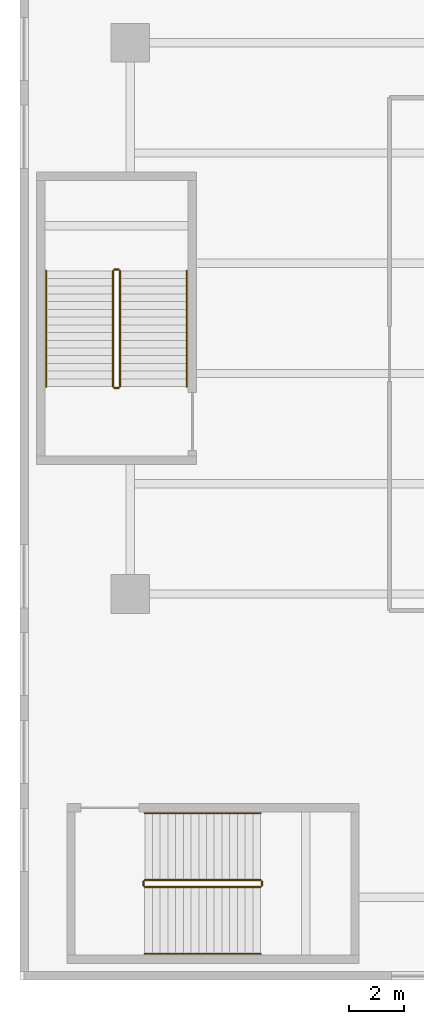
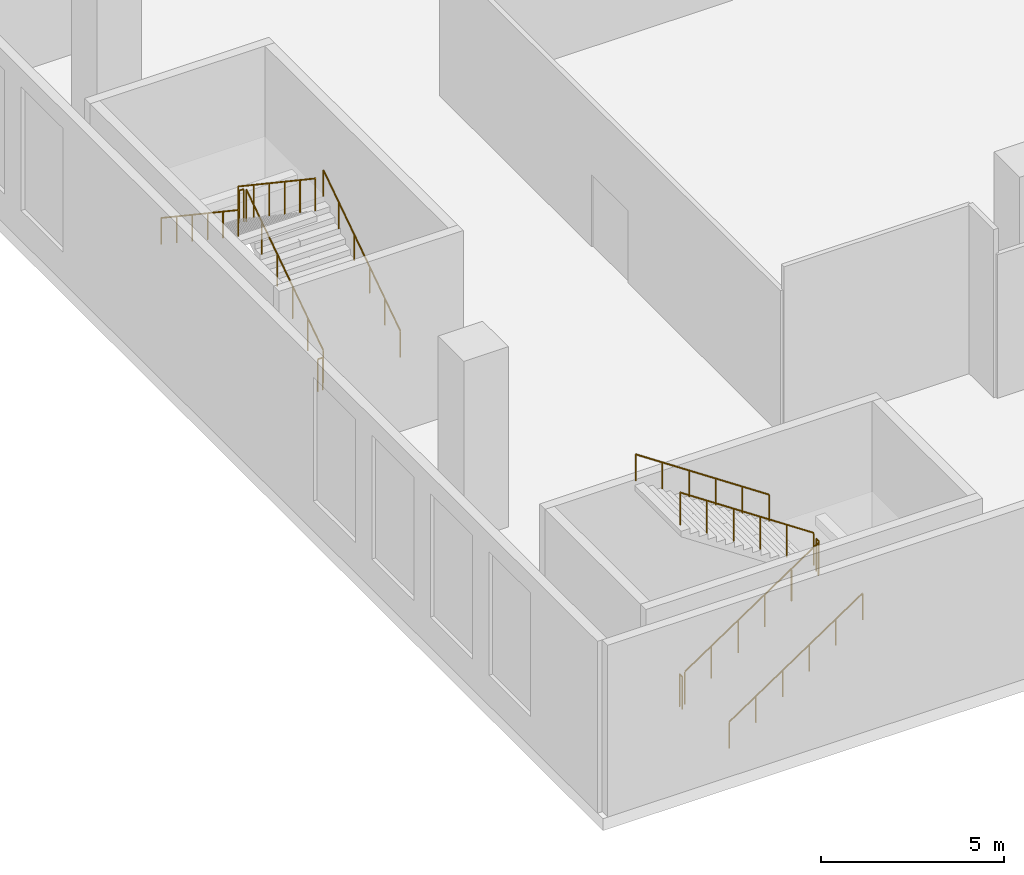
# One storey, part 17 of 25: 12 railings.
"""IFC4 building model written with IfcOpenShell, lengths in metres."""

from ifc_helpers import new_model, si_unit, direction, frame, origin, origin_2d, place, context, subcontext, project, spatial, circle, extrude, material, type_object, element, save


model = new_model("IFC4")

# Units and contexts
model_context = context("Model", 3, precision=1e-05, world=origin(), true_north=direction((0.0, 1.0)))
body_context = subcontext(model_context, "Body", "Model", "MODEL_VIEW")
ifc_project = project(units=[si_unit("LENGTHUNIT", "METRE"), si_unit("AREAUNIT", "SQUARE_METRE"), si_unit("VOLUMEUNIT", "CUBIC_METRE"), si_unit("PLANEANGLEUNIT", "RADIAN"), si_unit("MASSUNIT", "GRAM", prefix="KILO")], contexts=[model_context])

# Site, building, storey
site_placement = place(None, origin())
site = spatial("IfcSite", under=ifc_project, at=site_placement, CompositionType="ELEMENT")
building_placement = place(site_placement, origin())
building = spatial("IfcBuilding", under=site, at=building_placement, Name="Tel Ilan Convention Tower", CompositionType="ELEMENT")
storey_placement = place(building_placement, frame((0.0, 0.0, 26.0)))
storey = spatial("IfcBuildingStorey", under=building, at=storey_placement, Name="L03", CompositionType="ELEMENT", Elevation=26.0)

# Railings
ifc_material_1 = material(Name="Stainless Steel Grade 316", Category="steel")
railing_type_1 = type_object("IfcRailingType", Name="Stainless Steel Stair Guard 1100 mm", PredefinedType="GUARDRAIL", material=ifc_material_1)
railing_1_placement = place(storey_placement, frame((-45.47509765625, -78.625, 0.1875)))
element("IfcRailing", 1, at=railing_1_placement, inside=storey, type_object=railing_type_1, Name="L03 P1 stair guard 1", PredefinedType="GUARDRAIL", context=body_context, shape_type="SweptSolid", body=[
    extrude(circle(Radius=0.02392578125, at=origin_2d()), frame((0.0, 0.0, 1.076171875), z_axis=(0.830919138977, 0.0, 0.55639319234), x_axis=(0.0, 1.0, 0.0)), (0.0, 0.0, 1.0), 5.054931640625),
    extrude(circle(Radius=0.02099609375, at=origin_2d()), origin(), (0.0, 0.0, 1.0), 1.052001953125),
    extrude(circle(Radius=0.02099609375, at=origin_2d()), frame((0.840087890625, 0.0, 0.5625)), (0.0, 0.0, 1.0), 1.052001953125),
    extrude(circle(Radius=0.02099609375, at=origin_2d()), frame((1.68017578125, 0.0, 1.125)), (0.0, 0.0, 1.0), 1.052001953125),
    extrude(circle(Radius=0.02099609375, at=origin_2d()), frame((2.52001953125, 0.0, 1.6875)), (0.0, 0.0, 1.0), 1.052001953125),
    extrude(circle(Radius=0.02099609375, at=origin_2d()), frame((3.360107421875, 0.0, 2.25)), (0.0, 0.0, 1.0), 1.052001953125),
    extrude(circle(Radius=0.02099609375, at=origin_2d()), frame((4.2001953125, 0.0, 2.8125)), (0.0, 0.0, 1.0), 1.052001953125),
])
railing_2_placement = place(storey_placement, frame((-41.22509765625, -78.574951171875, 3.0)))
element("IfcRailing", 2, at=railing_2_placement, inside=storey, type_object=railing_type_1, Name="L03 P1 stair guard 2", PredefinedType="GUARDRAIL", context=body_context, shape_type="SweptSolid", body=[
    extrude(circle(Radius=0.02392578125, at=origin_2d()), frame((0.0, 0.0, 1.076171875), z_axis=(0.0, 1.0, 0.0), x_axis=(-1.0, 0.0, 0.0)), (0.0, 0.0, 1.0), 0.14990234375),
    extrude(circle(Radius=0.02099609375, at=origin_2d()), origin(), (0.0, 0.0, 1.0), 1.052001953125),
    extrude(circle(Radius=0.02099609375, at=origin_2d()), frame((0.0, 0.14990234375, 0.0)), (0.0, 0.0, 1.0), 1.052001953125),
])
railing_3_placement = place(storey_placement, frame((-41.27490234375, -78.375, 3.1875)))
element("IfcRailing", 3, at=railing_3_placement, inside=storey, type_object=railing_type_1, Name="L03 P1 stair guard 3", PredefinedType="GUARDRAIL", context=body_context, shape_type="SweptSolid", body=[
    extrude(circle(Radius=0.02392578125, at=origin_2d()), frame((0.0, 0.0, 1.076171875), z_axis=(-0.830919138977, 0.0, 0.55639319234), x_axis=(0.0, -1.0, 0.0)), (0.0, 0.0, 1.0), 5.054931640625),
    extrude(circle(Radius=0.02099609375, at=origin_2d()), origin(), (0.0, 0.0, 1.0), 1.052001953125),
    extrude(circle(Radius=0.02099609375, at=origin_2d()), frame((-0.840087890625, 0.0, 0.5625)), (0.0, 0.0, 1.0), 1.052001953125),
    extrude(circle(Radius=0.02099609375, at=origin_2d()), frame((-1.68017578125, 0.0, 1.125)), (0.0, 0.0, 1.0), 1.052001953125),
    extrude(circle(Radius=0.02099609375, at=origin_2d()), frame((-2.52001953125, 0.0, 1.6875)), (0.0, 0.0, 1.0), 1.052001953125),
    extrude(circle(Radius=0.02099609375, at=origin_2d()), frame((-3.360107421875, 0.0, 2.25)), (0.0, 0.0, 1.0), 1.052001953125),
    extrude(circle(Radius=0.02099609375, at=origin_2d()), frame((-4.2001953125, 0.0, 2.8125)), (0.0, 0.0, 1.0), 1.052001953125),
])
railing_4_placement = place(storey_placement, frame((-45.52490234375, -78.574951171875, 0.0)))
element("IfcRailing", 4, at=railing_4_placement, inside=storey, type_object=railing_type_1, Name="L03 P1 stair guard 4", PredefinedType="GUARDRAIL", context=body_context, shape_type="SweptSolid", body=[
    extrude(circle(Radius=0.02392578125, at=origin_2d()), frame((0.0, 0.0, 1.076171875), z_axis=(0.0, 1.0, 0.0), x_axis=(-1.0, 0.0, 0.0)), (0.0, 0.0, 1.0), 0.14990234375),
    extrude(circle(Radius=0.02099609375, at=origin_2d()), origin(), (0.0, 0.0, 1.0), 1.052001953125),
    extrude(circle(Radius=0.02099609375, at=origin_2d()), frame((0.0, 0.14990234375, 0.0)), (0.0, 0.0, 1.0), 1.052001953125),
])
railing_5_placement = place(storey_placement, frame((-46.375, -60.47509765625, 0.1875)))
element("IfcRailing", 5, at=railing_5_placement, inside=storey, type_object=railing_type_1, Name="L03 P5 stair guard 1", PredefinedType="GUARDRAIL", context=body_context, shape_type="SweptSolid", body=[
    extrude(circle(Radius=0.02392578125, at=origin_2d()), frame((0.0, 0.0, 1.076171875), z_axis=(0.0, 0.830919138977, 0.55639319234), x_axis=(-1.0, 0.0, 0.0)), (0.0, 0.0, 1.0), 5.054931640625),
    extrude(circle(Radius=0.02099609375, at=origin_2d()), origin(), (0.0, 0.0, 1.0), 1.052001953125),
    extrude(circle(Radius=0.02099609375, at=origin_2d()), frame((0.0, 0.840087890625, 0.5625)), (0.0, 0.0, 1.0), 1.052001953125),
    extrude(circle(Radius=0.02099609375, at=origin_2d()), frame((0.0, 1.68017578125, 1.125)), (0.0, 0.0, 1.0), 1.052001953125),
    extrude(circle(Radius=0.02099609375, at=origin_2d()), frame((0.0, 2.52001953125, 1.6875)), (0.0, 0.0, 1.0), 1.052001953125),
    extrude(circle(Radius=0.02099609375, at=origin_2d()), frame((0.0, 3.360107421875, 2.25)), (0.0, 0.0, 1.0), 1.052001953125),
    extrude(circle(Radius=0.02099609375, at=origin_2d()), frame((0.0, 4.2001953125, 2.8125)), (0.0, 0.0, 1.0), 1.052001953125),
])
railing_6_placement = place(storey_placement, frame((-46.425048828125, -56.22509765625, 3.0)))
element("IfcRailing", 6, at=railing_6_placement, inside=storey, type_object=railing_type_1, Name="L03 P5 stair guard 2", PredefinedType="GUARDRAIL", context=body_context, shape_type="SweptSolid", body=[
    extrude(circle(Radius=0.02392578125, at=origin_2d()), frame((0.0, 0.0, 1.076171875), z_axis=(-1.0, 0.0, 0.0), x_axis=(0.0, -1.0, 0.0)), (0.0, 0.0, 1.0), 0.14990234375),
    extrude(circle(Radius=0.02099609375, at=origin_2d()), origin(), (0.0, 0.0, 1.0), 1.052001953125),
    extrude(circle(Radius=0.02099609375, at=origin_2d()), frame((-0.14990234375, 0.0, 0.0)), (0.0, 0.0, 1.0), 1.052001953125),
])
railing_7_placement = place(storey_placement, frame((-46.625, -56.27490234375, 3.1875)))
element("IfcRailing", 7, at=railing_7_placement, inside=storey, type_object=railing_type_1, Name="L03 P5 stair guard 3", PredefinedType="GUARDRAIL", context=body_context, shape_type="SweptSolid", body=[
    extrude(circle(Radius=0.02392578125, at=origin_2d()), frame((0.0, 0.0, 1.076171875), z_axis=(0.0, -0.830919138977, 0.55639319234), x_axis=(1.0, 0.0, 0.0)), (0.0, 0.0, 1.0), 5.054931640625),
    extrude(circle(Radius=0.02099609375, at=origin_2d()), origin(), (0.0, 0.0, 1.0), 1.052001953125),
    extrude(circle(Radius=0.02099609375, at=origin_2d()), frame((0.0, -0.840087890625, 0.5625)), (0.0, 0.0, 1.0), 1.052001953125),
    extrude(circle(Radius=0.02099609375, at=origin_2d()), frame((0.0, -1.68017578125, 1.125)), (0.0, 0.0, 1.0), 1.052001953125),
    extrude(circle(Radius=0.02099609375, at=origin_2d()), frame((0.0, -2.52001953125, 1.6875)), (0.0, 0.0, 1.0), 1.052001953125),
    extrude(circle(Radius=0.02099609375, at=origin_2d()), frame((0.0, -3.360107421875, 2.25)), (0.0, 0.0, 1.0), 1.052001953125),
    extrude(circle(Radius=0.02099609375, at=origin_2d()), frame((0.0, -4.2001953125, 2.8125)), (0.0, 0.0, 1.0), 1.052001953125),
])
railing_8_placement = place(storey_placement, frame((-46.425048828125, -60.52490234375, 0.0)))
element("IfcRailing", 8, at=railing_8_placement, inside=storey, type_object=railing_type_1, Name="L03 P5 stair guard 4", PredefinedType="GUARDRAIL", context=body_context, shape_type="SweptSolid", body=[
    extrude(circle(Radius=0.02392578125, at=origin_2d()), frame((0.0, 0.0, 1.076171875), z_axis=(-1.0, 0.0, 0.0), x_axis=(0.0, -1.0, 0.0)), (0.0, 0.0, 1.0), 0.14990234375),
    extrude(circle(Radius=0.02099609375, at=origin_2d()), origin(), (0.0, 0.0, 1.0), 1.052001953125),
    extrude(circle(Radius=0.02099609375, at=origin_2d()), frame((-0.14990234375, 0.0, 0.0)), (0.0, 0.0, 1.0), 1.052001953125),
])
ifc_material_2 = material(Name="Stainless Steel Grade 316", Category="steel")
railing_type_2 = type_object("IfcRailingType", Name="Stainless Steel Stair Handrail 900 mm", PredefinedType="HANDRAIL", material=ifc_material_2)
railing_9_placement = place(storey_placement, frame((-45.47509765625, -81.050048828125, 0.1875)))
element("IfcRailing", 9, at=railing_9_placement, inside=storey, type_object=railing_type_2, Name="L03 P1 stair handrail 1", PredefinedType="HANDRAIL", context=body_context, shape_type="SweptSolid", body=[
    extrude(circle(Radius=0.02392578125, at=origin_2d()), frame((0.0, 0.0, 0.8759765625), z_axis=(0.830919138977, 0.0, 0.55639319234), x_axis=(0.0, 1.0, 0.0)), (0.0, 0.0, 1.0), 5.054931640625),
    extrude(circle(Radius=0.02099609375, at=origin_2d()), origin(), (0.0, 0.0, 1.0), 0.851806640625),
    extrude(circle(Radius=0.02099609375, at=origin_2d()), frame((0.840087890625, 0.0, 0.5625)), (0.0, 0.0, 1.0), 0.851806640625),
    extrude(circle(Radius=0.02099609375, at=origin_2d()), frame((1.68017578125, 0.0, 1.125)), (0.0, 0.0, 1.0), 0.851806640625),
    extrude(circle(Radius=0.02099609375, at=origin_2d()), frame((2.52001953125, 0.0, 1.6875)), (0.0, 0.0, 1.0), 0.851806640625),
    extrude(circle(Radius=0.02099609375, at=origin_2d()), frame((3.360107421875, 0.0, 2.25)), (0.0, 0.0, 1.0), 0.851806640625),
    extrude(circle(Radius=0.02099609375, at=origin_2d()), frame((4.2001953125, 0.0, 2.8125)), (0.0, 0.0, 1.0), 0.851806640625),
])
railing_10_placement = place(storey_placement, frame((-41.27490234375, -75.949951171875, 3.1875)))
element("IfcRailing", 10, at=railing_10_placement, inside=storey, type_object=railing_type_2, Name="L03 P1 stair handrail 2", PredefinedType="HANDRAIL", context=body_context, shape_type="SweptSolid", body=[
    extrude(circle(Radius=0.02392578125, at=origin_2d()), frame((0.0, 0.0, 0.8759765625), z_axis=(-0.830919138977, 0.0, 0.55639319234), x_axis=(0.0, -1.0, 0.0)), (0.0, 0.0, 1.0), 5.054931640625),
    extrude(circle(Radius=0.02099609375, at=origin_2d()), origin(), (0.0, 0.0, 1.0), 0.851806640625),
    extrude(circle(Radius=0.02099609375, at=origin_2d()), frame((-0.840087890625, 0.0, 0.5625)), (0.0, 0.0, 1.0), 0.851806640625),
    extrude(circle(Radius=0.02099609375, at=origin_2d()), frame((-1.68017578125, 0.0, 1.125)), (0.0, 0.0, 1.0), 0.851806640625),
    extrude(circle(Radius=0.02099609375, at=origin_2d()), frame((-2.52001953125, 0.0, 1.6875)), (0.0, 0.0, 1.0), 0.851806640625),
    extrude(circle(Radius=0.02099609375, at=origin_2d()), frame((-3.360107421875, 0.0, 2.25)), (0.0, 0.0, 1.0), 0.851806640625),
    extrude(circle(Radius=0.02099609375, at=origin_2d()), frame((-4.2001953125, 0.0, 2.8125)), (0.0, 0.0, 1.0), 0.851806640625),
])
railing_11_placement = place(storey_placement, frame((-43.949951171875, -60.47509765625, 0.1875)))
element("IfcRailing", 11, at=railing_11_placement, inside=storey, type_object=railing_type_2, Name="L03 P5 stair handrail 1", PredefinedType="HANDRAIL", context=body_context, shape_type="SweptSolid", body=[
    extrude(circle(Radius=0.02392578125, at=origin_2d()), frame((0.0, 0.0, 0.8759765625), z_axis=(0.0, 0.830919138977, 0.55639319234), x_axis=(-1.0, 0.0, 0.0)), (0.0, 0.0, 1.0), 5.054931640625),
    extrude(circle(Radius=0.02099609375, at=origin_2d()), origin(), (0.0, 0.0, 1.0), 0.851806640625),
    extrude(circle(Radius=0.02099609375, at=origin_2d()), frame((0.0, 0.840087890625, 0.5625)), (0.0, 0.0, 1.0), 0.851806640625),
    extrude(circle(Radius=0.02099609375, at=origin_2d()), frame((0.0, 1.68017578125, 1.125)), (0.0, 0.0, 1.0), 0.851806640625),
    extrude(circle(Radius=0.02099609375, at=origin_2d()), frame((0.0, 2.52001953125, 1.6875)), (0.0, 0.0, 1.0), 0.851806640625),
    extrude(circle(Radius=0.02099609375, at=origin_2d()), frame((0.0, 3.360107421875, 2.25)), (0.0, 0.0, 1.0), 0.851806640625),
    extrude(circle(Radius=0.02099609375, at=origin_2d()), frame((0.0, 4.2001953125, 2.8125)), (0.0, 0.0, 1.0), 0.851806640625),
])
railing_12_placement = place(storey_placement, frame((-49.050048828125, -56.27490234375, 3.1875)))
element("IfcRailing", 12, at=railing_12_placement, inside=storey, type_object=railing_type_2, Name="L03 P5 stair handrail 2", PredefinedType="HANDRAIL", context=body_context, shape_type="SweptSolid", body=[
    extrude(circle(Radius=0.02392578125, at=origin_2d()), frame((0.0, 0.0, 0.8759765625), z_axis=(0.0, -0.830919138977, 0.55639319234), x_axis=(1.0, 0.0, 0.0)), (0.0, 0.0, 1.0), 5.054931640625),
    extrude(circle(Radius=0.02099609375, at=origin_2d()), origin(), (0.0, 0.0, 1.0), 0.851806640625),
    extrude(circle(Radius=0.02099609375, at=origin_2d()), frame((0.0, -0.840087890625, 0.5625)), (0.0, 0.0, 1.0), 0.851806640625),
    extrude(circle(Radius=0.02099609375, at=origin_2d()), frame((0.0, -1.68017578125, 1.125)), (0.0, 0.0, 1.0), 0.851806640625),
    extrude(circle(Radius=0.02099609375, at=origin_2d()), frame((0.0, -2.52001953125, 1.6875)), (0.0, 0.0, 1.0), 0.851806640625),
    extrude(circle(Radius=0.02099609375, at=origin_2d()), frame((0.0, -3.360107421875, 2.25)), (0.0, 0.0, 1.0), 0.851806640625),
    extrude(circle(Radius=0.02099609375, at=origin_2d()), frame((0.0, -4.2001953125, 2.8125)), (0.0, 0.0, 1.0), 0.851806640625),
])

save(model, "model.ifc")
